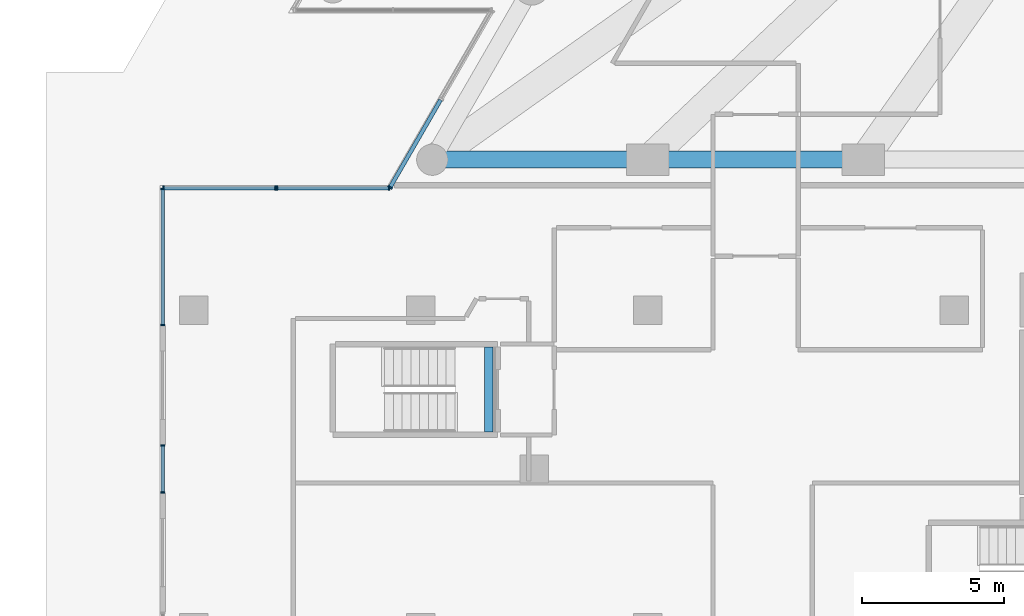
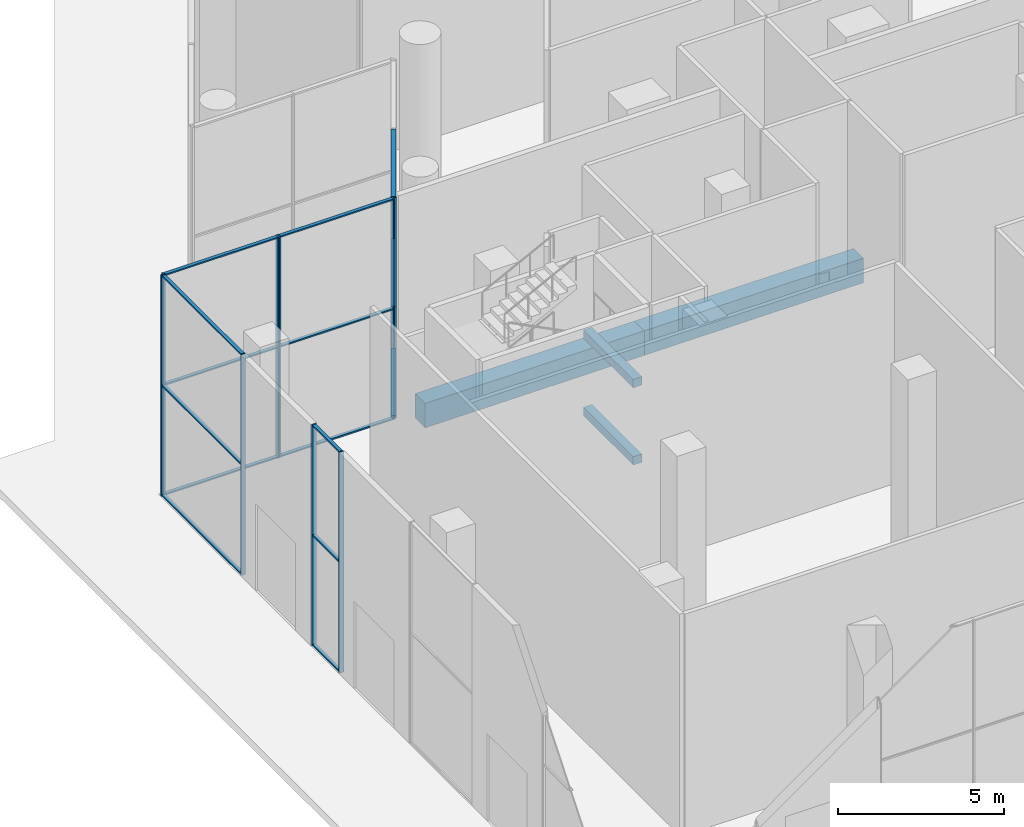
# One storey, part 5 of 41: 24 members, 4 beams, 5 elements without a shape of their own.
"""IFC4 building model written with IfcOpenShell, lengths in metres."""

from ifc_helpers import new_model, si_unit, direction, frame, origin, origin_2d, place, context, subcontext, project, spatial, rectangle, extrude, material, layer, layer_set, material_profile, profile_set, type_object, element, aggregate, save


model = new_model("IFC4")

# Units and contexts
model_context = context("Model", 3, precision=1e-05, world=origin(), true_north=direction((0.0, 1.0)))
body_context = subcontext(model_context, "Body", "Model", "MODEL_VIEW")
ifc_project = project(units=[si_unit("LENGTHUNIT", "METRE"), si_unit("AREAUNIT", "SQUARE_METRE"), si_unit("VOLUMEUNIT", "CUBIC_METRE"), si_unit("PLANEANGLEUNIT", "RADIAN"), si_unit("MASSUNIT", "GRAM", prefix="KILO")], contexts=[model_context])

# Site, building, storey
site_placement = place(None, origin())
site = spatial("IfcSite", under=ifc_project, at=site_placement, CompositionType="ELEMENT")
building_placement = place(site_placement, origin())
building = spatial("IfcBuilding", under=site, at=building_placement, Name="Triada Interchange Tower", CompositionType="ELEMENT")
storey_placement = place(building_placement, origin())
storey = spatial("IfcBuildingStorey", under=building, at=storey_placement, Name="L00", CompositionType="ELEMENT", Elevation=0.0)

# Beams
ifc_material_1 = material(Name="Concrete C35/45", Category="concrete")
ifc_material_profile_1 = material_profile(ifc_material_1, rectangle(XDim=0.300048828125, YDim=0.300048828125, at=origin_2d()), Name="RC 300x300")
ifc_profile_set_1 = profile_set([ifc_material_profile_1], Name="Concrete C35/45")
beam_type_1 = type_object("IfcBeamType", Name="Landing support beam RC 300x300", PredefinedType="BEAM", material=ifc_profile_set_1)
for number, where, z_axis, x_axis, name in (
    (1, (-28.39990234375, -31.199951171875, 2.4833984375), (0.0, 1.0, 0.0), (-1.0, 0.0, 0.0), "Landing support beam S00-8 1"),
    (2, (-28.39990234375, -31.199951171875, 5.31689453125), (0.0, 1.0, 0.0), (-1.0, 0.0, 0.0), "Landing support beam S00-8 2"),
):
    element("IfcBeam", number, at=place(storey_placement, frame(where, z_axis=z_axis, x_axis=x_axis)), inside=storey, type_object=beam_type_1, Name=name, PredefinedType="BEAM", context=body_context, shape_type="SweptSolid", body=[
        extrude(rectangle(XDim=0.300048828125, YDim=0.300048828125, at=origin_2d()), origin(), (0.0, 0.0, 1.0), 3.0),
    ])

# Curtain wall, members
ifc_material_2 = material(Name="Aluminium framed glazing", Category="aluminium")
ifc_layer_1 = layer(ifc_material_2, 0.199951171875)
ifc_layer_set_1 = layer_set([ifc_layer_1], Name="Curtain wall Retail shopfront")
curtain_wall_type_1 = type_object("IfcCurtainWallType", Name="Curtain wall Retail shopfront", PredefinedType="NOTDEFINED", material=ifc_layer_set_1)
curtain_wall_1_placement = place(storey_placement, origin())
curtain_wall_1 = element("IfcCurtainWall", 3, at=curtain_wall_1_placement, inside=storey, type_object=curtain_wall_type_1, Name="Retail shopfront CW041 L00", PredefinedType="NOTDEFINED")
ifc_material_3 = material(Name="Aluminium", Category="aluminium")
ifc_material_profile_2 = material_profile(ifc_material_3, rectangle(XDim=0.14990234375, YDim=0.050048828125, at=origin_2d()), Name="Aluminium mullion")
ifc_profile_set_2 = profile_set([ifc_material_profile_2], Name="Aluminium")
member_type_1 = type_object("IfcMemberType", Name="Mullion Retail shopfront 150x50", PredefinedType="MULLION", material=ifc_profile_set_2)
member_1_placement = place(storey_placement, frame((-31.923095703125, -22.60009765625, 0.0), z_axis=(0.0, 0.0, 1.0), x_axis=(0.0, -1.0, 0.0)))
member_1 = element("IfcMember", 4, at=member_1_placement, type_object=member_type_1, Name="CW041 mullion 1", PredefinedType="MULLION", context=body_context, shape_type="SweptSolid", body=[
    extrude(rectangle(XDim=0.14990234375, YDim=0.050048828125, at=origin_2d()), origin(), (0.0, 0.0, 1.0), 8.10009765625),
])
member_2_placement = place(storey_placement, frame((-35.868896484375, -22.60009765625, 0.0), z_axis=(0.0, 0.0, 1.0), x_axis=(0.0, -1.0, 0.0)))
member_2 = element("IfcMember", 5, at=member_2_placement, type_object=member_type_1, Name="CW041 mullion 2", PredefinedType="MULLION", context=body_context, shape_type="SweptSolid", body=[
    extrude(rectangle(XDim=0.14990234375, YDim=0.050048828125, at=origin_2d()), origin(), (0.0, 0.0, 1.0), 8.10009765625),
])

curtain_wall_2_placement = place(storey_placement, origin())
curtain_wall_2 = element("IfcCurtainWall", 6, at=curtain_wall_2_placement, inside=storey, type_object=curtain_wall_type_1, Name="Retail shopfront CW042 L00", PredefinedType="NOTDEFINED")
member_3_placement = place(storey_placement, frame((-35.928955078125, -22.60009765625, 0.0), z_axis=(0.0, 0.0, 1.0), x_axis=(0.0, -1.0, 0.0)))
member_3 = element("IfcMember", 7, at=member_3_placement, type_object=member_type_1, Name="CW042 mullion 1", PredefinedType="MULLION", context=body_context, shape_type="SweptSolid", body=[
    extrude(rectangle(XDim=0.14990234375, YDim=0.050048828125, at=origin_2d()), origin(), (0.0, 0.0, 1.0), 8.10009765625),
])
member_4_placement = place(storey_placement, frame((-39.875, -22.60009765625, 0.0), z_axis=(0.0, 0.0, 1.0), x_axis=(0.0, -1.0, 0.0)))
member_4 = element("IfcMember", 8, at=member_4_placement, type_object=member_type_1, Name="CW042 mullion 2", PredefinedType="MULLION", context=body_context, shape_type="SweptSolid", body=[
    extrude(rectangle(XDim=0.14990234375, YDim=0.050048828125, at=origin_2d()), origin(), (0.0, 0.0, 1.0), 8.10009765625),
])

curtain_wall_3_placement = place(storey_placement, origin())
curtain_wall_3 = element("IfcCurtainWall", 9, at=curtain_wall_3_placement, inside=storey, type_object=curtain_wall_type_1, Name="Retail shopfront CW043 L00", PredefinedType="NOTDEFINED")
member_5_placement = place(storey_placement, frame((-39.89990234375, -22.625, 0.0), z_axis=(0.0, 0.0, 1.0), x_axis=(1.0, 0.0, 0.0)))
member_5 = element("IfcMember", 10, at=member_5_placement, type_object=member_type_1, Name="CW043 mullion 1", PredefinedType="MULLION", context=body_context, shape_type="SweptSolid", body=[
    extrude(rectangle(XDim=0.14990234375, YDim=0.050048828125, at=origin_2d()), origin(), (0.0, 0.0, 1.0), 8.10009765625),
])
member_6_placement = place(storey_placement, frame((-39.89990234375, -27.425048828125, 0.0), z_axis=(0.0, 0.0, 1.0), x_axis=(1.0, 0.0, 0.0)))
member_6 = element("IfcMember", 11, at=member_6_placement, type_object=member_type_1, Name="CW043 mullion 2", PredefinedType="MULLION", context=body_context, shape_type="SweptSolid", body=[
    extrude(rectangle(XDim=0.14990234375, YDim=0.050048828125, at=origin_2d()), origin(), (0.0, 0.0, 1.0), 8.10009765625),
])

curtain_wall_4_placement = place(storey_placement, origin())
curtain_wall_4 = element("IfcCurtainWall", 12, at=curtain_wall_4_placement, inside=storey, type_object=curtain_wall_type_1, Name="Retail shopfront CW044 L00", PredefinedType="NOTDEFINED")
member_7_placement = place(storey_placement, frame((-39.89990234375, -31.675048828125, 0.0), z_axis=(0.0, 0.0, 1.0), x_axis=(1.0, 0.0, 0.0)))
member_7 = element("IfcMember", 13, at=member_7_placement, type_object=member_type_1, Name="CW044 mullion 1", PredefinedType="MULLION", context=body_context, shape_type="SweptSolid", body=[
    extrude(rectangle(XDim=0.14990234375, YDim=0.050048828125, at=origin_2d()), origin(), (0.0, 0.0, 1.0), 8.10009765625),
])
member_8_placement = place(storey_placement, frame((-39.89990234375, -33.324951171875, 0.0), z_axis=(0.0, 0.0, 1.0), x_axis=(1.0, 0.0, 0.0)))
member_8 = element("IfcMember", 14, at=member_8_placement, type_object=member_type_1, Name="CW044 mullion 2", PredefinedType="MULLION", context=body_context, shape_type="SweptSolid", body=[
    extrude(rectangle(XDim=0.14990234375, YDim=0.050048828125, at=origin_2d()), origin(), (0.0, 0.0, 1.0), 8.10009765625),
])

# Curtain wall, member
ifc_layer_2 = layer(ifc_material_2, 0.199951171875)
ifc_layer_set_2 = layer_set([ifc_layer_2], Name="Curtain wall Tower lobby glazing")
curtain_wall_type_2 = type_object("IfcCurtainWallType", Name="Curtain wall Tower lobby glazing", PredefinedType="NOTDEFINED", material=ifc_layer_set_2)
curtain_wall_5_placement = place(storey_placement, origin())
curtain_wall_5 = element("IfcCurtainWall", 15, at=curtain_wall_5_placement, inside=storey, type_object=curtain_wall_type_2, Name="Tower lobby glazing CW040 L00", PredefinedType="NOTDEFINED")
ifc_material_profile_3 = material_profile(ifc_material_3, rectangle(XDim=0.179931640625, YDim=0.06005859375, at=origin_2d()), Name="Aluminium mullion")
ifc_profile_set_3 = profile_set([ifc_material_profile_3], Name="Aluminium")
member_type_2 = type_object("IfcMemberType", Name="Mullion Tower lobby glazing 180x60", PredefinedType="MULLION", material=ifc_profile_set_3)
member_9_placement = place(storey_placement, frame((-31.883056640625, -22.573974609375, 0.0), z_axis=(0.0, 0.0, 1.0), x_axis=(0.866077569894, -0.499909634761, 0.0)))
member_9 = element("IfcMember", 16, at=member_9_placement, type_object=member_type_2, Name="CW040 mullion 3", PredefinedType="MULLION", context=body_context, shape_type="SweptSolid", body=[
    extrude(rectangle(XDim=0.179931640625, YDim=0.06005859375, at=origin_2d()), origin(), (0.0, 0.0, 1.0), 8.10009765625),
])

# Beams
ifc_material_4 = material(Name="Concrete C50/60", Category="concrete")
ifc_material_profile_4 = material_profile(ifc_material_4, rectangle(XDim=0.60009765625, YDim=0.89990234375, at=origin_2d()), Name="RC 600x900")
ifc_profile_set_4 = profile_set([ifc_material_profile_4], Name="Concrete C50/60")
beam_type_2 = type_object("IfcBeamType", Name="Spandrel beam P RC 600x900", PredefinedType="BEAM", material=ifc_profile_set_4)
beam_1_placement = place(storey_placement, frame((-30.39697265625, -21.60009765625, -0.85009765625), z_axis=(1.0, 0.0, 0.0), x_axis=(0.0, 1.0, 0.0)))
element("IfcBeam", 17, at=beam_1_placement, inside=storey, type_object=beam_type_2, Name="Spandrel beam EP11 L00", PredefinedType="BEAM", context=body_context, shape_type="SweptSolid", body=[
    extrude(rectangle(XDim=0.60009765625, YDim=0.89990234375, at=origin_2d()), origin(), (0.0, 0.0, 1.0), 7.598876953125),
])
beam_2_placement = place(storey_placement, frame((-22.798095703125, -21.60009765625, -0.85009765625), z_axis=(1.0, 0.0, 0.0), x_axis=(0.0, 1.0, 0.0)))
element("IfcBeam", 18, at=beam_2_placement, inside=storey, type_object=beam_type_2, Name="Spandrel beam EP12 L00", PredefinedType="BEAM", context=body_context, shape_type="SweptSolid", body=[
    extrude(rectangle(XDim=0.60009765625, YDim=0.89990234375, at=origin_2d()), origin(), (0.0, 0.0, 1.0), 7.60009765625),
])

# Member
ifc_material_profile_5 = material_profile(ifc_material_3, rectangle(XDim=0.1201171875, YDim=0.050048828125, at=origin_2d()), Name="Aluminium transom")
ifc_profile_set_5 = profile_set([ifc_material_profile_5], Name="Aluminium")
member_type_3 = type_object("IfcMemberType", Name="Transom Retail shopfront 120x50", PredefinedType="USERDEFINED", material=ifc_profile_set_5)
member_10_placement = place(storey_placement, frame((-31.947998046875, -22.60009765625, 0.02490234375), z_axis=(-1.0, 0.0, 0.0), x_axis=(0.0, -1.0, 0.0)))
member_10 = element("IfcMember", 19, at=member_10_placement, type_object=member_type_3, Name="CW041 transom 1.1", ObjectType="TRANSOM", PredefinedType="USERDEFINED", context=body_context, shape_type="SweptSolid", body=[
    extrude(rectangle(XDim=0.1201171875, YDim=0.050048828125, at=origin_2d()), origin(), (0.0, 0.0, 1.0), 3.89599609375),
])

member_11_placement = place(storey_placement, frame((-31.947998046875, -22.60009765625, 4.050048828125), z_axis=(-1.0, 0.0, 0.0), x_axis=(0.0, -1.0, 0.0)))
member_11 = element("IfcMember", 20, at=member_11_placement, type_object=member_type_3, Name="CW041 transom 1.2", ObjectType="TRANSOM", PredefinedType="USERDEFINED", context=body_context, shape_type="SweptSolid", body=[
    extrude(rectangle(XDim=0.1201171875, YDim=0.050048828125, at=origin_2d()), origin(), (0.0, 0.0, 1.0), 3.89599609375),
])

member_12_placement = place(storey_placement, frame((-31.947998046875, -22.60009765625, 8.074951171875), z_axis=(-1.0, 0.0, 0.0), x_axis=(0.0, -1.0, 0.0)))
member_12 = element("IfcMember", 21, at=member_12_placement, type_object=member_type_3, Name="CW041 transom 1.3", ObjectType="TRANSOM", PredefinedType="USERDEFINED", context=body_context, shape_type="SweptSolid", body=[
    extrude(rectangle(XDim=0.1201171875, YDim=0.050048828125, at=origin_2d()), origin(), (0.0, 0.0, 1.0), 3.89599609375),
])

aggregate(curtain_wall_1, [member_1, member_2, member_10, member_11, member_12])

member_13_placement = place(storey_placement, frame((-35.9541015625, -22.60009765625, 0.02490234375), z_axis=(-1.0, 0.0, 0.0), x_axis=(0.0, -1.0, 0.0)))
member_13 = element("IfcMember", 22, at=member_13_placement, type_object=member_type_3, Name="CW042 transom 1.1", ObjectType="TRANSOM", PredefinedType="USERDEFINED", context=body_context, shape_type="SweptSolid", body=[
    extrude(rectangle(XDim=0.1201171875, YDim=0.050048828125, at=origin_2d()), origin(), (0.0, 0.0, 1.0), 3.89599609375),
])

member_14_placement = place(storey_placement, frame((-35.9541015625, -22.60009765625, 4.050048828125), z_axis=(-1.0, 0.0, 0.0), x_axis=(0.0, -1.0, 0.0)))
member_14 = element("IfcMember", 23, at=member_14_placement, type_object=member_type_3, Name="CW042 transom 1.2", ObjectType="TRANSOM", PredefinedType="USERDEFINED", context=body_context, shape_type="SweptSolid", body=[
    extrude(rectangle(XDim=0.1201171875, YDim=0.050048828125, at=origin_2d()), origin(), (0.0, 0.0, 1.0), 3.89599609375),
])

member_15_placement = place(storey_placement, frame((-35.9541015625, -22.60009765625, 8.074951171875), z_axis=(-1.0, 0.0, 0.0), x_axis=(0.0, -1.0, 0.0)))
member_15 = element("IfcMember", 24, at=member_15_placement, type_object=member_type_3, Name="CW042 transom 1.3", ObjectType="TRANSOM", PredefinedType="USERDEFINED", context=body_context, shape_type="SweptSolid", body=[
    extrude(rectangle(XDim=0.1201171875, YDim=0.050048828125, at=origin_2d()), origin(), (0.0, 0.0, 1.0), 3.89599609375),
])

aggregate(curtain_wall_2, [member_3, member_4, member_13, member_14, member_15])

member_16_placement = place(storey_placement, frame((-39.89990234375, -22.64990234375, 0.02490234375), z_axis=(0.0, -1.0, 0.0), x_axis=(1.0, 0.0, 0.0)))
member_16 = element("IfcMember", 25, at=member_16_placement, type_object=member_type_3, Name="CW043 transom 1.1", ObjectType="TRANSOM", PredefinedType="USERDEFINED", context=body_context, shape_type="SweptSolid", body=[
    extrude(rectangle(XDim=0.1201171875, YDim=0.050048828125, at=origin_2d()), origin(), (0.0, 0.0, 1.0), 4.75),
])

member_17_placement = place(storey_placement, frame((-39.89990234375, -22.64990234375, 4.050048828125), z_axis=(0.0, -1.0, 0.0), x_axis=(1.0, 0.0, 0.0)))
member_17 = element("IfcMember", 26, at=member_17_placement, type_object=member_type_3, Name="CW043 transom 1.2", ObjectType="TRANSOM", PredefinedType="USERDEFINED", context=body_context, shape_type="SweptSolid", body=[
    extrude(rectangle(XDim=0.1201171875, YDim=0.050048828125, at=origin_2d()), origin(), (0.0, 0.0, 1.0), 4.75),
])

member_18_placement = place(storey_placement, frame((-39.89990234375, -22.64990234375, 8.074951171875), z_axis=(0.0, -1.0, 0.0), x_axis=(1.0, 0.0, 0.0)))
member_18 = element("IfcMember", 27, at=member_18_placement, type_object=member_type_3, Name="CW043 transom 1.3", ObjectType="TRANSOM", PredefinedType="USERDEFINED", context=body_context, shape_type="SweptSolid", body=[
    extrude(rectangle(XDim=0.1201171875, YDim=0.050048828125, at=origin_2d()), origin(), (0.0, 0.0, 1.0), 4.75),
])

aggregate(curtain_wall_3, [member_5, member_6, member_16, member_17, member_18])

member_19_placement = place(storey_placement, frame((-39.89990234375, -31.699951171875, 0.02490234375), z_axis=(0.0, -1.0, 0.0), x_axis=(1.0, 0.0, 0.0)))
member_19 = element("IfcMember", 28, at=member_19_placement, type_object=member_type_3, Name="CW044 transom 1.1", ObjectType="TRANSOM", PredefinedType="USERDEFINED", context=body_context, shape_type="SweptSolid", body=[
    extrude(rectangle(XDim=0.1201171875, YDim=0.050048828125, at=origin_2d()), origin(), (0.0, 0.0, 1.0), 1.60009765625),
])

member_20_placement = place(storey_placement, frame((-39.89990234375, -31.699951171875, 4.050048828125), z_axis=(0.0, -1.0, 0.0), x_axis=(1.0, 0.0, 0.0)))
member_20 = element("IfcMember", 29, at=member_20_placement, type_object=member_type_3, Name="CW044 transom 1.2", ObjectType="TRANSOM", PredefinedType="USERDEFINED", context=body_context, shape_type="SweptSolid", body=[
    extrude(rectangle(XDim=0.1201171875, YDim=0.050048828125, at=origin_2d()), origin(), (0.0, 0.0, 1.0), 1.60009765625),
])

member_21_placement = place(storey_placement, frame((-39.89990234375, -31.699951171875, 8.074951171875), z_axis=(0.0, -1.0, 0.0), x_axis=(1.0, 0.0, 0.0)))
member_21 = element("IfcMember", 30, at=member_21_placement, type_object=member_type_3, Name="CW044 transom 1.3", ObjectType="TRANSOM", PredefinedType="USERDEFINED", context=body_context, shape_type="SweptSolid", body=[
    extrude(rectangle(XDim=0.1201171875, YDim=0.050048828125, at=origin_2d()), origin(), (0.0, 0.0, 1.0), 1.60009765625),
])

aggregate(curtain_wall_4, [member_7, member_8, member_19, member_20, member_21])

ifc_material_profile_6 = material_profile(ifc_material_3, rectangle(XDim=0.139892578125, YDim=0.06005859375, at=origin_2d()), Name="Aluminium transom")
ifc_profile_set_6 = profile_set([ifc_material_profile_6], Name="Aluminium")
member_type_4 = type_object("IfcMemberType", Name="Transom Tower lobby glazing 140x60", PredefinedType="USERDEFINED", material=ifc_profile_set_6)
member_22_placement = place(storey_placement, frame((-30.10205078125, -19.488525390625, 0.030029296875), z_axis=(-0.499878002131, -0.866095827831, 0.0), x_axis=(0.866095827831, -0.499878002131, 0.0)))
member_22 = element("IfcMember", 31, at=member_22_placement, type_object=member_type_4, Name="CW040 transom 2.1", ObjectType="TRANSOM", PredefinedType="USERDEFINED", context=body_context, shape_type="SweptSolid", body=[
    extrude(rectangle(XDim=0.139892578125, YDim=0.06005859375, at=origin_2d()), origin(), (0.0, 0.0, 1.0), 3.53271484375),
])

member_23_placement = place(storey_placement, frame((-30.10205078125, -19.488525390625, 4.050048828125), z_axis=(-0.499878002131, -0.866095827831, 0.0), x_axis=(0.866095827831, -0.499878002131, 0.0)))
member_23 = element("IfcMember", 32, at=member_23_placement, type_object=member_type_4, Name="CW040 transom 2.2", ObjectType="TRANSOM", PredefinedType="USERDEFINED", context=body_context, shape_type="SweptSolid", body=[
    extrude(rectangle(XDim=0.139892578125, YDim=0.06005859375, at=origin_2d()), origin(), (0.0, 0.0, 1.0), 3.53271484375),
])

member_24_placement = place(storey_placement, frame((-30.10205078125, -19.488525390625, 8.070068359375), z_axis=(-0.499878002131, -0.866095827831, 0.0), x_axis=(0.866095827831, -0.499878002131, 0.0)))
member_24 = element("IfcMember", 33, at=member_24_placement, type_object=member_type_4, Name="CW040 transom 2.3", ObjectType="TRANSOM", PredefinedType="USERDEFINED", context=body_context, shape_type="SweptSolid", body=[
    extrude(rectangle(XDim=0.139892578125, YDim=0.06005859375, at=origin_2d()), origin(), (0.0, 0.0, 1.0), 3.53271484375),
])

aggregate(curtain_wall_5, [member_9, member_22, member_23, member_24])

save(model, "model.ifc")
